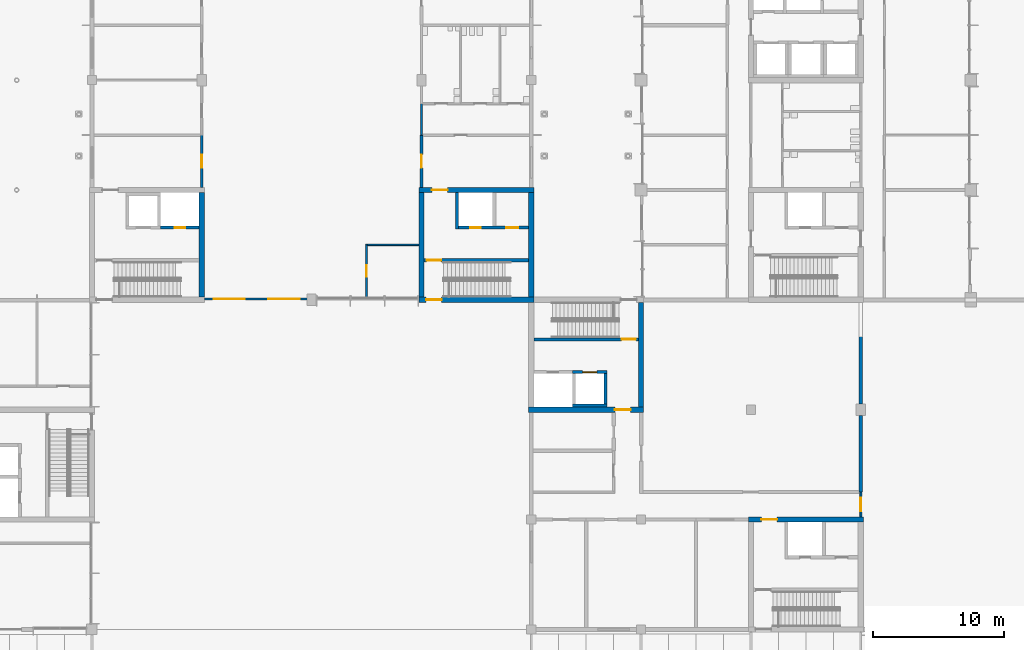
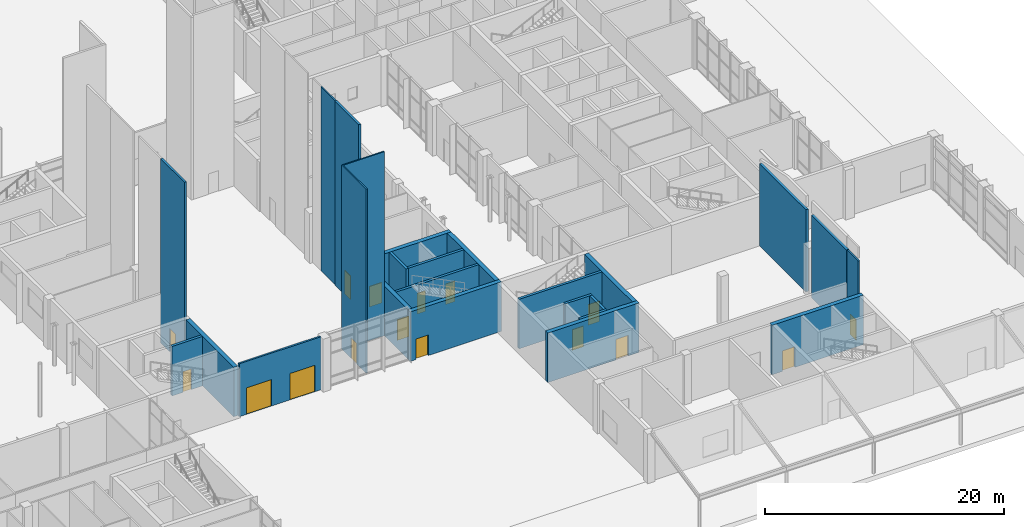
# One storey, part 39 of 76: 25 walls, 16 doors, 16 openings.
"""IFC4 building model written with IfcOpenShell, lengths in metres."""

from ifc_helpers import new_model, si_unit, direction, frame, frame_2d, origin, place, context, subcontext, project, spatial, rectangle, extrude, material, layer, layer_set, type_object, element, fill, save


model = new_model("IFC4")

# Units and contexts
model_context = context("Model", 3, precision=1e-05, world=origin(), true_north=direction((0.0, 1.0)))
body_context = subcontext(model_context, "Body", "Model", "MODEL_VIEW")
ifc_project = project(units=[si_unit("LENGTHUNIT", "METRE"), si_unit("AREAUNIT", "SQUARE_METRE"), si_unit("VOLUMEUNIT", "CUBIC_METRE"), si_unit("PLANEANGLEUNIT", "RADIAN"), si_unit("MASSUNIT", "GRAM", prefix="KILO")], contexts=[model_context])

# Site, building, storey
site_placement = place(None, origin())
site = spatial("IfcSite", under=ifc_project, at=site_placement, CompositionType="ELEMENT")
building_placement = place(site_placement, origin())
building = spatial("IfcBuilding", under=site, at=building_placement, Name="Hlaing Beacon Police Headquarters", CompositionType="ELEMENT")
storey_placement = place(building_placement, origin())
storey = spatial("IfcBuildingStorey", under=building, at=storey_placement, Name="L00", CompositionType="ELEMENT", Elevation=0.0)

# Walls
ifc_material_1 = material(Name="Concrete blockwork 7.5 N/mm2", Category="masonry")
ifc_layer_1 = layer(ifc_material_1, 0.25)
ifc_layer_set_1 = layer_set([ifc_layer_1], Name="Concrete blockwork 7.5 N/mm2")
wall_type_1 = type_object("IfcWallType", Name="Armoury wall EI 120 250", PredefinedType="PARTITIONING", material=ifc_layer_set_1)
wall_1_placement = place(storey_placement, frame((117.60009765625, 18.89990234375, 0.0), z_axis=(0.0, 0.0, 1.0), x_axis=(0.0, 1.0, 0.0)))
element("IfcWall", 1, at=wall_1_placement, inside=storey, type_object=wall_type_1, Name="Armoury wall EI 120 250", PredefinedType="PARTITIONING", context=body_context, shape_type="SweptSolid", body=[
    extrude(rectangle(XDim=5.85009765625, YDim=0.25, at=frame_2d((2.925048828125, 0.0))), origin(), (0.0, 0.0, 1.0), 8.375),
])
wall_2_placement = place(storey_placement, frame((117.60009765625, 25.64990234375, 0.0), z_axis=(0.0, 0.0, 1.0), x_axis=(0.0, 1.0, 0.0)))
element("IfcWall", 2, at=wall_2_placement, inside=storey, type_object=wall_type_1, Name="Armoury wall EI 120 250", PredefinedType="PARTITIONING", context=body_context, shape_type="SweptSolid", body=[
    extrude(rectangle(XDim=7.75, YDim=0.25, at=frame_2d((3.875, 0.0))), origin(), (0.0, 0.0, 1.0), 8.375),
])
ifc_material_2 = material(Name="Concrete C60/75", Category="concrete")
ifc_layer_2 = layer(ifc_material_2, 0.39990234375)
ifc_layer_set_2 = layer_set([ifc_layer_2], Name="Concrete C60/75")
wall_type_2 = type_object("IfcWallType", Name="Core shear wall 400", PredefinedType="SHEAR", material=ifc_layer_set_2)
wall_3_placement = place(storey_placement, frame((67.199951171875, 33.800048828125, 0.0), z_axis=(0.0, 0.0, 1.0), x_axis=(0.0, 1.0, 0.0)))
element("IfcWall", 3, at=wall_3_placement, inside=storey, type_object=wall_type_2, Name="Core shear wall", PredefinedType="SHEAR", context=body_context, shape_type="SweptSolid", body=[
    extrude(rectangle(XDim=8.0, YDim=0.39990234375, at=frame_2d((4.0, 0.0))), origin(), (0.0, 0.0, 1.0), 5.050048828125),
])

# Wall, opening, door
wall_4_placement = place(storey_placement, frame((83.800048828125, 33.60009765625, 0.0), z_axis=(0.0, 0.0, 1.0), x_axis=(1.0, 0.0, 0.0)))
wall_4 = element("IfcWall", 4, at=wall_4_placement, inside=storey, type_object=wall_type_2, Name="Core shear wall", PredefinedType="SHEAR", context=body_context, shape_type="SweptSolid", body=[
    extrude(rectangle(XDim=8.800048828125, YDim=0.39990234375, at=frame_2d((4.39990234375, 0.0))), origin(), (0.0, 0.0, 1.0), 5.050048828125),
])
opening_1_placement = place(wall_4_placement, frame((0.550048828125, 0.0, 0.0)))
opening_1 = element("IfcOpeningElement", 5, at=opening_1_placement, cuts=wall_4, Name="Opening L00-914", PredefinedType="OPENING", context=body_context, shape_type="SweptSolid", body=[
    extrude(rectangle(XDim=1.199951171875, YDim=2.10009765625, at=frame_2d((0.60009765625, 1.050048828125))), frame((0.0, 0.2099609375, 0.0), z_axis=(0.0, -1.0, 0.0), x_axis=(1.0, 0.0, 0.0)), (0.0, 0.0, 1.0), 0.419921875),
])
ifc_material_3 = material(Name="Steel fire door leaf", Category="steel")
ifc_layer_3 = layer(ifc_material_3, 0.070068359375)
ifc_layer_set_3 = layer_set([ifc_layer_3], Name="Steel fire door leaf")
door_type_1 = type_object("IfcDoorType", Name="Steel fire door FD60 1200x2100", OperationType="SINGLE_SWING_LEFT", PredefinedType="DOOR", material=ifc_layer_set_3)
door_1_placement = place(opening_1_placement, frame((1.199951171875, 0.0, 0.0), z_axis=(0.0, 0.0, 1.0), x_axis=(-1.0, 0.0, 0.0)))
door_1 = element("IfcDoor", 6, at=door_1_placement, inside=storey, type_object=door_type_1, Name="Door Stair ST-C Exit", OperationType="SINGLE_SWING_LEFT", OverallHeight=2.10009765625, OverallWidth=1.199951171875, PredefinedType="DOOR", context=body_context, shape_type="SweptSolid", body=[
    extrude(rectangle(XDim=1.199951171875, YDim=2.10009765625, at=frame_2d((0.599853515625, 1.050048828125))), frame((0.0, 0.034912109375, 0.0), z_axis=(0.0, -1.0, 0.0), x_axis=(1.0, 0.0, 0.0)), (0.0, 0.0, 1.0), 0.070068359375),
])
fill(opening_1, door_1)

wall_5_placement = place(storey_placement, frame((83.800048828125, 42.0, 0.0), z_axis=(0.0, 0.0, 1.0), x_axis=(1.0, 0.0, 0.0)))
wall_5 = element("IfcWall", 7, at=wall_5_placement, inside=storey, type_object=wall_type_2, Name="Core shear wall", PredefinedType="SHEAR", context=body_context, shape_type="SweptSolid", body=[
    extrude(rectangle(XDim=8.800048828125, YDim=0.39990234375, at=frame_2d((4.39990234375, 0.0))), origin(), (0.0, 0.0, 1.0), 5.050048828125),
])
opening_2_placement = place(wall_5_placement, frame((1.0, 0.0, 0.0)))
opening_2 = element("IfcOpeningElement", 8, at=opening_2_placement, cuts=wall_5, Name="Opening L00-911", PredefinedType="OPENING", context=body_context, shape_type="SweptSolid", body=[
    extrude(rectangle(XDim=1.199951171875, YDim=2.10009765625, at=frame_2d((0.60009765625, 1.050048828125))), frame((0.0, 0.2099609375, 0.0), z_axis=(0.0, -1.0, 0.0), x_axis=(1.0, 0.0, 0.0)), (0.0, 0.0, 1.0), 0.419921875),
])
ifc_material_4 = material(Name="Steel fire door leaf", Category="steel")
ifc_layer_4 = layer(ifc_material_4, 0.070068359375)
ifc_layer_set_4 = layer_set([ifc_layer_4], Name="Steel fire door leaf")
door_type_2 = type_object("IfcDoorType", Name="Steel fire door FD60S 1200x2100", OperationType="SINGLE_SWING_LEFT", PredefinedType="DOOR", material=ifc_layer_set_4)
door_2_placement = place(opening_2_placement, frame((1.199951171875, 0.0, 0.0), z_axis=(0.0, 0.0, 1.0), x_axis=(-1.0, 0.0, 0.0)))
door_2 = element("IfcDoor", 9, at=door_2_placement, inside=storey, type_object=door_type_2, Name="Door Stair Lobby ST-C Entry", OperationType="SINGLE_SWING_RIGHT", OverallHeight=2.10009765625, OverallWidth=1.199951171875, PredefinedType="DOOR", context=body_context, shape_type="SweptSolid", body=[
    extrude(rectangle(XDim=1.199951171875, YDim=2.10009765625, at=frame_2d((0.599853515625, 1.050048828125))), frame((0.0, 0.034912109375, 0.0), z_axis=(0.0, -1.0, 0.0), x_axis=(1.0, 0.0, 0.0)), (0.0, 0.0, 1.0), 0.070068359375),
])
fill(opening_2, door_2)

# Walls
for number, where, z_axis, x_axis, name in (
    (10, (84.0, 33.800048828125, 0.0), (0.0, 0.0, 1.0), (0.0, 1.0, 0.0), "Core shear wall"),
    (11, (92.39990234375, 33.800048828125, 0.0), (0.0, 0.0, 1.0), (0.0, 1.0, 0.0), "Core shear wall"),
):
    element("IfcWall", number, at=place(storey_placement, frame(where, z_axis=z_axis, x_axis=x_axis)), inside=storey, type_object=wall_type_2, Name=name, PredefinedType="SHEAR", context=body_context, shape_type="SweptSolid", body=[
        extrude(rectangle(XDim=8.0, YDim=0.39990234375, at=frame_2d((4.0, 0.0))), origin(), (0.0, 0.0, 1.0), 5.050048828125),
    ])

# Wall, opening, door
wall_6_placement = place(storey_placement, frame((92.199951171875, 25.199951171875, 0.0), z_axis=(0.0, 0.0, 1.0), x_axis=(1.0, 0.0, 0.0)))
wall_6 = element("IfcWall", 12, at=wall_6_placement, inside=storey, type_object=wall_type_2, Name="Core shear wall", PredefinedType="SHEAR", context=body_context, shape_type="SweptSolid", body=[
    extrude(rectangle(XDim=8.800048828125, YDim=0.39990234375, at=frame_2d((4.39990234375, 0.0))), origin(), (0.0, 0.0, 1.0), 5.050048828125),
])
opening_3_placement = place(wall_6_placement, frame((6.60009765625, 0.0, 0.0)))
opening_3 = element("IfcOpeningElement", 13, at=opening_3_placement, cuts=wall_6, Name="Opening L00-928", PredefinedType="OPENING", context=body_context, shape_type="SweptSolid", body=[
    extrude(rectangle(XDim=1.199951171875, YDim=2.10009765625, at=frame_2d((0.60009765625, 1.050048828125))), frame((0.0, 0.2099609375, 0.0), z_axis=(0.0, -1.0, 0.0), x_axis=(1.0, 0.0, 0.0)), (0.0, 0.0, 1.0), 0.419921875),
])
door_3_placement = place(opening_3_placement, origin())
door_3 = element("IfcDoor", 14, at=door_3_placement, inside=storey, type_object=door_type_2, Name="Door Lift and Stair Lobby ST-G Entry", OperationType="SINGLE_SWING_RIGHT", OverallHeight=2.10009765625, OverallWidth=1.199951171875, PredefinedType="DOOR", context=body_context, shape_type="SweptSolid", body=[
    extrude(rectangle(XDim=1.199951171875, YDim=2.10009765625, at=frame_2d((0.60009765625, 1.050048828125))), frame((0.0, 0.03515625, 0.0), z_axis=(0.0, -1.0, 0.0), x_axis=(1.0, 0.0, 0.0)), (0.0, 0.0, 1.0), 0.070068359375),
])
fill(opening_3, door_3)

# Wall
wall_7_placement = place(storey_placement, frame((100.800048828125, 25.39990234375, 0.0), z_axis=(0.0, 0.0, 1.0), x_axis=(0.0, 1.0, 0.0)))
element("IfcWall", 15, at=wall_7_placement, inside=storey, type_object=wall_type_2, Name="Core shear wall", PredefinedType="SHEAR", context=body_context, shape_type="SweptSolid", body=[
    extrude(rectangle(XDim=8.0, YDim=0.39990234375, at=frame_2d((4.0, 0.0))), origin(), (0.0, 0.0, 1.0), 5.050048828125),
])

# Wall, opening, door
wall_8_placement = place(storey_placement, frame((109.0, 16.800048828125, 0.0), z_axis=(0.0, 0.0, 1.0), x_axis=(1.0, 0.0, 0.0)))
wall_8 = element("IfcWall", 16, at=wall_8_placement, inside=storey, type_object=wall_type_2, Name="Core shear wall", PredefinedType="SHEAR", context=body_context, shape_type="SweptSolid", body=[
    extrude(rectangle(XDim=8.800048828125, YDim=0.39990234375, at=frame_2d((4.39990234375, 0.0))), origin(), (0.0, 0.0, 1.0), 5.050048828125),
])
opening_4_placement = place(wall_8_placement, frame((1.0, 0.0, 0.0)))
opening_4 = element("IfcOpeningElement", 17, at=opening_4_placement, cuts=wall_8, Name="Opening L00-933", PredefinedType="OPENING", context=body_context, shape_type="SweptSolid", body=[
    extrude(rectangle(XDim=1.199951171875, YDim=2.10009765625, at=frame_2d((0.60009765625, 1.050048828125))), frame((0.0, 0.2099609375, 0.0), z_axis=(0.0, -1.0, 0.0), x_axis=(1.0, 0.0, 0.0)), (0.0, 0.0, 1.0), 0.419921875),
])
door_4_placement = place(opening_4_placement, frame((1.199951171875, 0.0, 0.0), z_axis=(0.0, 0.0, 1.0), x_axis=(-1.0, 0.0, 0.0)))
door_4 = element("IfcDoor", 18, at=door_4_placement, inside=storey, type_object=door_type_2, Name="Door Stair Lobby ST-H Entry", OperationType="SINGLE_SWING_RIGHT", OverallHeight=2.10009765625, OverallWidth=1.199951171875, PredefinedType="DOOR", context=body_context, shape_type="SweptSolid", body=[
    extrude(rectangle(XDim=1.199951171875, YDim=2.10009765625, at=frame_2d((0.599853515625, 1.050048828125))), frame((0.0, 0.034912109375, 0.0), z_axis=(0.0, -1.0, 0.0), x_axis=(1.0, 0.0, 0.0)), (0.0, 0.0, 1.0), 0.070068359375),
])
fill(opening_4, door_4)

ifc_material_5 = material(Name="Gypsum board partition")
ifc_layer_5 = layer(ifc_material_5, 0.14990234375)
ifc_layer_set_5 = layer_set([ifc_layer_5], Name="Gypsum board partition")
wall_type_3 = type_object("IfcWallType", Name="Corridor wall EI 30 150", PredefinedType="PARTITIONING", material=ifc_layer_set_5)
wall_9_placement = place(storey_placement, frame((117.60009765625, 17.0, 0.0), z_axis=(0.0, 0.0, 1.0), x_axis=(0.0, 1.0, 0.0)))
wall_9 = element("IfcWall", 19, at=wall_9_placement, inside=storey, type_object=wall_type_3, Name="Corridor wall EI 30 150", PredefinedType="PARTITIONING", context=body_context, shape_type="SweptSolid", body=[
    extrude(rectangle(XDim=1.89990234375, YDim=0.14990234375, at=frame_2d((0.949951171875, 0.0))), origin(), (0.0, 0.0, 1.0), 8.375),
])
opening_5_placement = place(wall_9_placement, frame((0.449951171875, 0.0, 0.0)))
opening_5 = element("IfcOpeningElement", 20, at=opening_5_placement, cuts=wall_9, Name="Opening L00-025", PredefinedType="OPENING", context=body_context, shape_type="SweptSolid", body=[
    extrude(rectangle(XDim=1.0, YDim=2.10009765625, at=frame_2d((0.5, 1.050048828125))), frame((0.0, 0.0849609375, 0.0), z_axis=(0.0, -1.0, 0.0), x_axis=(1.0, 0.0, 0.0)), (0.0, 0.0, 1.0), 0.169921875),
])
ifc_material_6 = material(Name="Hardwood door leaf", Category="wood")
ifc_layer_6 = layer(ifc_material_6, 0.050048828125)
ifc_layer_set_6 = layer_set([ifc_layer_6], Name="Hardwood door leaf")
door_type_3 = type_object("IfcDoorType", Name="Fire door FD30S 1000x2100", OperationType="SINGLE_SWING_LEFT", PredefinedType="DOOR", material=ifc_layer_set_6)
door_5_placement = place(opening_5_placement, origin())
door_5 = element("IfcDoor", 21, at=door_5_placement, inside=storey, type_object=door_type_3, Name="Door Gymnasium Hall", OperationType="SINGLE_SWING_RIGHT", OverallHeight=2.10009765625, OverallWidth=1.0, PredefinedType="DOOR", context=body_context, shape_type="SweptSolid", body=[
    extrude(rectangle(XDim=1.0, YDim=2.10009765625, at=frame_2d((0.5, 1.050048828125))), frame((0.0, 0.02490234375, 0.0), z_axis=(0.0, -1.0, 0.0), x_axis=(1.0, 0.0, 0.0)), (0.0, 0.0, 1.0), 0.050048828125),
])
fill(opening_5, door_5)

# Wall, openings, doors
ifc_material_7 = material(Name="Insulated aluminium panel infill", Category="aluminium")
ifc_layer_7 = layer(ifc_material_7, 0.175048828125)
ifc_layer_set_7 = layer_set([ifc_layer_7], Name="Insulated aluminium panel infill")
wall_type_4 = type_object("IfcWallType", Name="Insulated panel infill wall 175", PredefinedType="SOLIDWALL", material=ifc_layer_set_7)
wall_10_placement = place(storey_placement, frame((67.39990234375, 33.66259765625, 0.0), z_axis=(0.0, 0.0, 1.0), x_axis=(1.0, 0.0, 0.0)))
wall_10 = element("IfcWall", 22, at=wall_10_placement, inside=storey, type_object=wall_type_4, Name="External wall L00 S047", PredefinedType="SOLIDWALL", context=body_context, shape_type="SweptSolid", body=[
    extrude(rectangle(XDim=7.8701171875, YDim=0.175048828125, at=frame_2d((3.93505859375, 0.0))), origin(), (0.0, 0.0, 1.0), 5.39990234375),
])
opening_6_placement = place(wall_10_placement, frame((0.699951171875, 0.0, 0.0)))
opening_6 = element("IfcOpeningElement", 23, at=opening_6_placement, cuts=wall_10, Name="Opening L00-819", PredefinedType="OPENING", context=body_context, shape_type="SweptSolid", body=[
    extrude(rectangle(XDim=2.39990234375, YDim=2.699951171875, at=frame_2d((1.199951171875, 1.35009765625))), frame((0.0, 0.09765625, 0.0), z_axis=(0.0, -1.0, 0.0), x_axis=(1.0, 0.0, 0.0)), (0.0, 0.0, 1.0), 0.195068359375),
])
opening_7_placement = place(wall_10_placement, frame((4.89990234375, 0.0, 0.0)))
opening_7 = element("IfcOpeningElement", 24, at=opening_7_placement, cuts=wall_10, Name="Opening L00-820", PredefinedType="OPENING", context=body_context, shape_type="SweptSolid", body=[
    extrude(rectangle(XDim=2.39990234375, YDim=2.699951171875, at=frame_2d((1.199951171875, 1.35009765625))), frame((0.0, 0.09765625, 0.0), z_axis=(0.0, -1.0, 0.0), x_axis=(1.0, 0.0, 0.0)), (0.0, 0.0, 1.0), 0.195068359375),
])
ifc_material_8 = material(Name="Steel door", Category="steel")
door_type_4 = type_object("IfcDoorType", Name="Door 2400x2700", OperationType="SINGLE_SWING_LEFT", PredefinedType="DOOR", material=ifc_material_8)
door_6_placement = place(opening_6_placement, frame((2.39990234375, 0.0, 0.0), z_axis=(0.0, 0.0, 1.0), x_axis=(-1.0, 0.0, 0.0)))
door_6 = element("IfcDoor", 25, at=door_6_placement, inside=storey, type_object=door_type_4, Name="Door Public Entrance Hall", OperationType="SINGLE_SWING_LEFT", OverallHeight=2.699951171875, OverallWidth=2.39990234375, PredefinedType="DOOR", context=body_context, shape_type="SweptSolid", body=[
    extrude(rectangle(XDim=2.39990234375, YDim=2.699951171875, at=frame_2d((1.199951171875, 1.35009765625))), frame((0.0, 0.025146484375, 0.0), z_axis=(0.0, -1.0, 0.0), x_axis=(1.0, 0.0, 0.0)), (0.0, 0.0, 1.0), 0.050048828125),
])
fill(opening_6, door_6)
door_7_placement = place(opening_7_placement, frame((2.39990234375, 0.0, 0.0), z_axis=(0.0, 0.0, 1.0), x_axis=(-1.0, 0.0, 0.0)))
door_7 = element("IfcDoor", 26, at=door_7_placement, inside=storey, type_object=door_type_4, Name="Door Public Entrance Hall", OperationType="SINGLE_SWING_RIGHT", OverallHeight=2.699951171875, OverallWidth=2.39990234375, PredefinedType="DOOR", context=body_context, shape_type="SweptSolid", body=[
    extrude(rectangle(XDim=2.39990234375, YDim=2.699951171875, at=frame_2d((1.199951171875, 1.35009765625))), frame((0.0, 0.025146484375, 0.0), z_axis=(0.0, -1.0, 0.0), x_axis=(1.0, 0.0, 0.0)), (0.0, 0.0, 1.0), 0.050048828125),
])
fill(opening_7, door_7)

# Wall, opening, door
ifc_material_9 = material(Name="Concrete blockwork 7.5 N/mm2", Category="masonry")
ifc_layer_8 = layer(ifc_material_9, 0.199951171875)
ifc_layer_set_8 = layer_set([ifc_layer_8], Name="Concrete blockwork 7.5 N/mm2")
wall_type_5 = type_object("IfcWallType", Name="Lobby wall EI 120 200", PredefinedType="PARTITIONING", material=ifc_layer_set_8)
wall_11_placement = place(storey_placement, frame((84.0, 42.199951171875, 0.0), z_axis=(0.0, 0.0, 1.0), x_axis=(0.0, 1.0, 0.0)))
wall_11 = element("IfcWall", 27, at=wall_11_placement, inside=storey, type_object=wall_type_5, Name="Lobby wall EI 120 200", PredefinedType="PARTITIONING", context=body_context, shape_type="SweptSolid", body=[
    extrude(rectangle(XDim=4.0, YDim=0.199951171875, at=frame_2d((2.0, 0.0))), origin(), (0.0, 0.0, 1.0), 18.77001953125),
])
opening_8_placement = place(wall_11_placement, frame((1.5, 0.0, 0.0)))
opening_8 = element("IfcOpeningElement", 28, at=opening_8_placement, cuts=wall_11, Name="Opening L00-003", PredefinedType="OPENING", context=body_context, shape_type="SweptSolid", body=[
    extrude(rectangle(XDim=1.0, YDim=2.39990234375, at=frame_2d((0.5, 1.199951171875))), frame((0.0, 0.10986328125, 0.0), z_axis=(0.0, -1.0, 0.0), x_axis=(1.0, 0.0, 0.0)), (0.0, 0.0, 1.0), 0.219970703125),
])
ifc_material_10 = material(Name="Hardwood door leaf", Category="wood")
ifc_layer_9 = layer(ifc_material_10, 0.06005859375)
ifc_layer_set_9 = layer_set([ifc_layer_9], Name="Hardwood door leaf")
door_type_5 = type_object("IfcDoorType", Name="Fire public door FD60S 1000x2400", OperationType="SINGLE_SWING_LEFT", PredefinedType="DOOR", material=ifc_layer_set_9)
door_8_placement = place(opening_8_placement, origin())
door_8 = element("IfcDoor", 29, at=door_8_placement, inside=storey, type_object=door_type_5, Name="Door Entrance Lobby South East", OperationType="SINGLE_SWING_LEFT", OverallHeight=2.39990234375, OverallWidth=1.0, PredefinedType="DOOR", context=body_context, shape_type="SweptSolid", body=[
    extrude(rectangle(XDim=1.0, YDim=2.39990234375, at=frame_2d((0.5, 1.199951171875))), frame((0.0, 0.030029296875, 0.0), z_axis=(0.0, -1.0, 0.0), x_axis=(1.0, 0.0, 0.0)), (0.0, 0.0, 1.0), 0.06005859375),
])
fill(opening_8, door_8)

wall_12_placement = place(storey_placement, frame((67.199951171875, 42.199951171875, 0.0), z_axis=(0.0, 0.0, 1.0), x_axis=(0.0, 1.0, 0.0)))
wall_12 = element("IfcWall", 30, at=wall_12_placement, inside=storey, type_object=wall_type_5, Name="Lobby wall EI 120 200", PredefinedType="PARTITIONING", context=body_context, shape_type="SweptSolid", body=[
    extrude(rectangle(XDim=4.0, YDim=0.199951171875, at=frame_2d((2.0, 0.0))), origin(), (0.0, 0.0, 1.0), 18.77001953125),
])
opening_9_placement = place(wall_12_placement, frame((1.5, 0.0, 0.0)))
opening_9 = element("IfcOpeningElement", 31, at=opening_9_placement, cuts=wall_12, Name="Opening L00-013", PredefinedType="OPENING", context=body_context, shape_type="SweptSolid", body=[
    extrude(rectangle(XDim=1.0, YDim=2.39990234375, at=frame_2d((0.5, 1.199951171875))), frame((0.0, 0.10986328125, 0.0), z_axis=(0.0, -1.0, 0.0), x_axis=(1.0, 0.0, 0.0)), (0.0, 0.0, 1.0), 0.219970703125),
])
door_9_placement = place(opening_9_placement, frame((1.0, 0.0, 0.0), z_axis=(0.0, 0.0, 1.0), x_axis=(-1.0, 0.0, 0.0)))
door_9 = element("IfcDoor", 32, at=door_9_placement, inside=storey, type_object=door_type_5, Name="Door Entrance Lobby South West", OperationType="SINGLE_SWING_LEFT", OverallHeight=2.39990234375, OverallWidth=1.0, PredefinedType="DOOR", context=body_context, shape_type="SweptSolid", body=[
    extrude(rectangle(XDim=1.0, YDim=2.39990234375, at=frame_2d((0.5, 1.199951171875))), frame((0.0, 0.030029296875, 0.0), z_axis=(0.0, -1.0, 0.0), x_axis=(1.0, 0.0, 0.0)), (0.0, 0.0, 1.0), 0.06005859375),
])
fill(opening_9, door_9)

ifc_material_11 = material(Name="Gypsum board partition")
ifc_layer_10 = layer(ifc_material_11, 0.125)
ifc_layer_set_10 = layer_set([ifc_layer_10], Name="Gypsum board partition")
wall_type_6 = type_object("IfcWallType", Name="Partition 125", PredefinedType="PARTITIONING", material=ifc_layer_set_10)
wall_13_placement = place(storey_placement, frame((79.800048828125, 33.75, 0.0), z_axis=(0.0, 0.0, 1.0), x_axis=(0.0, 1.0, 0.0)))
wall_13 = element("IfcWall", 33, at=wall_13_placement, inside=storey, type_object=wall_type_6, Name="Partition 125", PredefinedType="PARTITIONING", context=body_context, shape_type="SweptSolid", body=[
    extrude(rectangle(XDim=4.112060546875, YDim=0.125, at=frame_2d((2.05615234375, 0.0))), origin(), (0.0, 0.0, 1.0), 18.77001953125),
])
opening_10_placement = place(wall_13_placement, frame((1.60009765625, 0.0, 0.0)))
opening_10 = element("IfcOpeningElement", 34, at=opening_10_placement, cuts=wall_13, Name="Opening L00-001", PredefinedType="OPENING", context=body_context, shape_type="SweptSolid", body=[
    extrude(rectangle(XDim=0.89990234375, YDim=2.10009765625, at=frame_2d((0.449951171875, 1.050048828125))), frame((0.0, 0.072509765625, 0.0), z_axis=(0.0, -1.0, 0.0), x_axis=(1.0, 0.0, 0.0)), (0.0, 0.0, 1.0), 0.14501953125),
])
ifc_material_12 = material(Name="Hardwood door leaf", Category="wood")
ifc_layer_11 = layer(ifc_material_12, 0.0400390625)
ifc_layer_set_11 = layer_set([ifc_layer_11], Name="Hardwood door leaf")
door_type_6 = type_object("IfcDoorType", Name="Door 900x2100", OperationType="SINGLE_SWING_LEFT", PredefinedType="DOOR", material=ifc_layer_set_11)
door_10_placement = place(opening_10_placement, frame((0.89990234375, 0.0, 0.0), z_axis=(0.0, 0.0, 1.0), x_axis=(-1.0, 0.0, 0.0)))
door_10 = element("IfcDoor", 35, at=door_10_placement, inside=storey, type_object=door_type_6, Name="Door Entry Control Post", OperationType="SINGLE_SWING_LEFT", OverallHeight=2.10009765625, OverallWidth=0.89990234375, PredefinedType="DOOR", context=body_context, shape_type="SweptSolid", body=[
    extrude(rectangle(XDim=0.89990234375, YDim=2.10009765625, at=frame_2d((0.449951171875, 1.050048828125))), frame((0.0, 0.02001953125, 0.0), z_axis=(0.0, -1.0, 0.0), x_axis=(1.0, 0.0, 0.0)), (0.0, 0.0, 1.0), 0.0400390625),
])
fill(opening_10, door_10)

# Walls
wall_14_placement = place(storey_placement, frame((79.862060546875, 37.800048828125, 0.0), z_axis=(0.0, 0.0, 1.0), x_axis=(1.0, 0.0, 0.0)))
element("IfcWall", 36, at=wall_14_placement, inside=storey, type_object=wall_type_6, Name="Partition 125", PredefinedType="PARTITIONING", context=body_context, shape_type="SweptSolid", body=[
    extrude(rectangle(XDim=3.93798828125, YDim=0.125, at=frame_2d((1.968994140625, 0.0))), origin(), (0.0, 0.0, 1.0), 18.77001953125),
])
wall_15_placement = place(storey_placement, frame((84.0, 46.199951171875, 0.0), z_axis=(0.0, 0.0, 1.0), x_axis=(0.0, 1.0, 0.0)))
element("IfcWall", 37, at=wall_15_placement, inside=storey, type_object=wall_type_6, Name="Partition 125", PredefinedType="PARTITIONING", context=body_context, shape_type="SweptSolid", body=[
    extrude(rectangle(XDim=2.400146484375, YDim=0.125, at=frame_2d((1.2001953125, 0.0))), origin(), (0.0, 0.0, 1.0), 18.77001953125),
])

# Wall, opening, door
ifc_material_13 = material(Name="Concrete C40/50", Category="concrete")
ifc_layer_12 = layer(ifc_material_13, 0.25)
ifc_layer_set_12 = layer_set([ifc_layer_12], Name="Concrete C40/50")
wall_type_7 = type_object("IfcWallType", Name="Shaft wall 250", PredefinedType="SOLIDWALL", material=ifc_layer_set_12)
wall_16_placement = place(storey_placement, frame((64.050048828125, 39.125, 0.0), z_axis=(0.0, 0.0, 1.0), x_axis=(1.0, 0.0, 0.0)))
wall_16 = element("IfcWall", 38, at=wall_16_placement, inside=storey, type_object=wall_type_7, Name="Lobby wall", PredefinedType="SOLIDWALL", context=body_context, shape_type="SweptSolid", body=[
    extrude(rectangle(XDim=2.949951171875, YDim=0.25, at=frame_2d((1.47509765625, 0.0))), origin(), (0.0, 0.0, 1.0), 5.050048828125),
])
opening_11_placement = place(wall_16_placement, frame((1.074951171875, 0.0, 0.0)))
opening_11 = element("IfcOpeningElement", 39, at=opening_11_placement, cuts=wall_16, Name="Opening L00-902", PredefinedType="OPENING", context=body_context, shape_type="SweptSolid", body=[
    extrude(rectangle(XDim=0.800048828125, YDim=2.10009765625, at=frame_2d((0.39990234375, 1.050048828125))), frame((0.0, 0.135009765625, 0.0), z_axis=(0.0, -1.0, 0.0), x_axis=(1.0, 0.0, 0.0)), (0.0, 0.0, 1.0), 0.27001953125),
])
ifc_material_14 = material(Name="Steel fire door leaf", Category="steel")
ifc_layer_13 = layer(ifc_material_14, 0.070068359375)
ifc_layer_set_13 = layer_set([ifc_layer_13], Name="Steel fire door leaf")
door_type_7 = type_object("IfcDoorType", Name="Steel fire door FD60 800x2100", OperationType="SINGLE_SWING_LEFT", PredefinedType="DOOR", material=ifc_layer_set_13)
door_11_placement = place(opening_11_placement, origin())
door_11 = element("IfcDoor", 40, at=door_11_placement, inside=storey, type_object=door_type_7, Name="Door Services Riser", OperationType="SINGLE_SWING_RIGHT", OverallHeight=2.10009765625, OverallWidth=0.800048828125, PredefinedType="DOOR", context=body_context, shape_type="SweptSolid", body=[
    extrude(rectangle(XDim=0.800048828125, YDim=2.10009765625, at=frame_2d((0.39990234375, 1.050048828125))), frame((0.0, 0.03515625, 0.0), z_axis=(0.0, -1.0, 0.0), x_axis=(1.0, 0.0, 0.0)), (0.0, 0.0, 1.0), 0.070068359375),
])
fill(opening_11, door_11)

wall_17_placement = place(storey_placement, frame((84.199951171875, 36.625, 0.0), z_axis=(0.0, 0.0, 1.0), x_axis=(1.0, 0.0, 0.0)))
wall_17 = element("IfcWall", 41, at=wall_17_placement, inside=storey, type_object=wall_type_7, Name="Stair enclosure wall", PredefinedType="SOLIDWALL", context=body_context, shape_type="SweptSolid", body=[
    extrude(rectangle(XDim=8.0, YDim=0.25, at=frame_2d((4.0, 0.0))), origin(), (0.0, 0.0, 1.0), 5.050048828125),
])
opening_12_placement = place(wall_17_placement, frame((0.199951171875, 0.0, 0.0)))
opening_12 = element("IfcOpeningElement", 42, at=opening_12_placement, cuts=wall_17, Name="Opening L00-913", PredefinedType="OPENING", context=body_context, shape_type="SweptSolid", body=[
    extrude(rectangle(XDim=1.10009765625, YDim=2.10009765625, at=frame_2d((0.550048828125, 1.050048828125))), frame((0.0, 0.135009765625, 0.0), z_axis=(0.0, -1.0, 0.0), x_axis=(1.0, 0.0, 0.0)), (0.0, 0.0, 1.0), 0.27001953125),
])
ifc_material_15 = material(Name="Steel fire door leaf", Category="steel")
ifc_layer_14 = layer(ifc_material_15, 0.070068359375)
ifc_layer_set_14 = layer_set([ifc_layer_14], Name="Steel fire door leaf")
door_type_8 = type_object("IfcDoorType", Name="Steel fire door FD60 1100x2100", OperationType="SINGLE_SWING_LEFT", PredefinedType="DOOR", material=ifc_layer_set_14)
door_12_placement = place(opening_12_placement, frame((1.10009765625, 0.0, 0.0), z_axis=(0.0, 0.0, 1.0), x_axis=(-1.0, 0.0, 0.0)))
door_12 = element("IfcDoor", 43, at=door_12_placement, inside=storey, type_object=door_type_8, Name="Door Stair ST-C", OperationType="SINGLE_SWING_LEFT", OverallHeight=2.10009765625, OverallWidth=1.10009765625, PredefinedType="DOOR", context=body_context, shape_type="SweptSolid", body=[
    extrude(rectangle(XDim=1.10009765625, YDim=2.10009765625, at=frame_2d((0.550048828125, 1.050048828125))), frame((0.0, 0.034912109375, 0.0), z_axis=(0.0, -1.0, 0.0), x_axis=(1.0, 0.0, 0.0)), (0.0, 0.0, 1.0), 0.070068359375),
])
fill(opening_12, door_12)

# Wall
wall_18_placement = place(storey_placement, frame((86.72509765625, 39.0, 0.0), z_axis=(0.0, 0.0, 1.0), x_axis=(0.0, 1.0, 0.0)))
element("IfcWall", 44, at=wall_18_placement, inside=storey, type_object=wall_type_7, Name="Lobby wall", PredefinedType="SOLIDWALL", context=body_context, shape_type="SweptSolid", body=[
    extrude(rectangle(XDim=2.800048828125, YDim=0.25, at=frame_2d((1.39990234375, 0.0))), origin(), (0.0, 0.0, 1.0), 5.050048828125),
])

# Wall, openings, doors
wall_19_placement = place(storey_placement, frame((86.85009765625, 39.125, 0.0), z_axis=(0.0, 0.0, 1.0), x_axis=(1.0, 0.0, 0.0)))
wall_19 = element("IfcWall", 45, at=wall_19_placement, inside=storey, type_object=wall_type_7, Name="Lobby wall", PredefinedType="SOLIDWALL", context=body_context, shape_type="SweptSolid", body=[
    extrude(rectangle(XDim=5.349853515625, YDim=0.25, at=frame_2d((2.6748046875, 0.0))), origin(), (0.0, 0.0, 1.0), 5.050048828125),
])
opening_13_placement = place(wall_19_placement, frame((3.64990234375, 0.0, 0.0)))
opening_13 = element("IfcOpeningElement", 46, at=opening_13_placement, cuts=wall_19, Name="Opening L00-910", PredefinedType="OPENING", context=body_context, shape_type="SweptSolid", body=[
    extrude(rectangle(XDim=0.89990234375, YDim=2.10009765625, at=frame_2d((0.449951171875, 1.050048828125))), frame((0.0, 0.135009765625, 0.0), z_axis=(0.0, -1.0, 0.0), x_axis=(1.0, 0.0, 0.0)), (0.0, 0.0, 1.0), 0.27001953125),
])
opening_14_placement = place(wall_19_placement, frame((0.89990234375, 0.0, 0.0)))
opening_14 = element("IfcOpeningElement", 47, at=opening_14_placement, cuts=wall_19, Name="Opening L00-912", PredefinedType="OPENING", context=body_context, shape_type="SweptSolid", body=[
    extrude(rectangle(XDim=0.800048828125, YDim=2.10009765625, at=frame_2d((0.39990234375, 1.050048828125))), frame((0.0, 0.135009765625, 0.0), z_axis=(0.0, -1.0, 0.0), x_axis=(1.0, 0.0, 0.0)), (0.0, 0.0, 1.0), 0.27001953125),
])
door_13_placement = place(opening_14_placement, origin())
door_13 = element("IfcDoor", 48, at=door_13_placement, inside=storey, type_object=door_type_7, Name="Door Services Riser", OperationType="SINGLE_SWING_RIGHT", OverallHeight=2.10009765625, OverallWidth=0.800048828125, PredefinedType="DOOR", context=body_context, shape_type="SweptSolid", body=[
    extrude(rectangle(XDim=0.800048828125, YDim=2.10009765625, at=frame_2d((0.39990234375, 1.050048828125))), frame((0.0, 0.03515625, 0.0), z_axis=(0.0, -1.0, 0.0), x_axis=(1.0, 0.0, 0.0)), (0.0, 0.0, 1.0), 0.070068359375),
])
fill(opening_14, door_13)
ifc_material_16 = material(Name="Steel fire door leaf", Category="steel")
ifc_layer_15 = layer(ifc_material_16, 0.070068359375)
ifc_layer_set_15 = layer_set([ifc_layer_15], Name="Steel fire door leaf")
door_type_9 = type_object("IfcDoorType", Name="Steel fire door FD60 900x2100", OperationType="SINGLE_SWING_LEFT", PredefinedType="DOOR", material=ifc_layer_set_15)
door_14_placement = place(opening_13_placement, origin())
door_14 = element("IfcDoor", 49, at=door_14_placement, inside=storey, type_object=door_type_9, Name="Door Cleaners' Store", OperationType="SINGLE_SWING_LEFT", OverallHeight=2.10009765625, OverallWidth=0.89990234375, PredefinedType="DOOR", context=body_context, shape_type="SweptSolid", body=[
    extrude(rectangle(XDim=0.89990234375, YDim=2.10009765625, at=frame_2d((0.449951171875, 1.050048828125))), frame((0.0, 0.03515625, 0.0), z_axis=(0.0, -1.0, 0.0), x_axis=(1.0, 0.0, 0.0)), (0.0, 0.0, 1.0), 0.070068359375),
])
fill(opening_13, door_14)

# Wall, opening, door
wall_20_placement = place(storey_placement, frame((100.60009765625, 30.574951171875, 0.0), z_axis=(0.0, 0.0, 1.0), x_axis=(-1.0, 0.0, 0.0)))
wall_20 = element("IfcWall", 50, at=wall_20_placement, inside=storey, type_object=wall_type_7, Name="Stair enclosure wall", PredefinedType="SOLIDWALL", context=body_context, shape_type="SweptSolid", body=[
    extrude(rectangle(XDim=8.0, YDim=0.25, at=frame_2d((4.0, 0.0))), origin(), (0.0, 0.0, 1.0), 5.050048828125),
])
opening_15_placement = place(wall_20_placement, frame((0.199951171875, 0.0, 0.0)))
opening_15 = element("IfcOpeningElement", 51, at=opening_15_placement, cuts=wall_20, Name="Opening L00-930", PredefinedType="OPENING", context=body_context, shape_type="SweptSolid", body=[
    extrude(rectangle(XDim=1.10009765625, YDim=2.10009765625, at=frame_2d((0.550048828125, 1.050048828125))), frame((0.0, 0.135009765625, 0.0), z_axis=(0.0, -1.0, 0.0), x_axis=(1.0, 0.0, 0.0)), (0.0, 0.0, 1.0), 0.27001953125),
])
door_15_placement = place(opening_15_placement, frame((1.10009765625, 0.0, 0.0), z_axis=(0.0, 0.0, 1.0), x_axis=(-1.0, 0.0, 0.0)))
door_15 = element("IfcDoor", 52, at=door_15_placement, inside=storey, type_object=door_type_8, Name="Door Stair ST-G", OperationType="SINGLE_SWING_LEFT", OverallHeight=2.10009765625, OverallWidth=1.10009765625, PredefinedType="DOOR", context=body_context, shape_type="SweptSolid", body=[
    extrude(rectangle(XDim=1.10009765625, YDim=2.10009765625, at=frame_2d((0.550048828125, 1.050048828125))), frame((0.0, 0.034912109375, 0.0), z_axis=(0.0, -1.0, 0.0), x_axis=(1.0, 0.0, 0.0)), (0.0, 0.0, 1.0), 0.070068359375),
])
fill(opening_15, door_15)

# Wall
wall_21_placement = place(storey_placement, frame((98.074951171875, 25.64990234375, 0.0), z_axis=(0.0, 0.0, 1.0), x_axis=(0.0, 1.0, 0.0)))
element("IfcWall", 53, at=wall_21_placement, inside=storey, type_object=wall_type_7, Name="Lift shaft wall PL4", PredefinedType="SOLIDWALL", context=body_context, shape_type="SweptSolid", body=[
    extrude(rectangle(XDim=2.300048828125, YDim=0.25, at=frame_2d((1.14990234375, 0.0))), origin(), (0.0, 0.0, 1.0), 5.050048828125),
])

# Wall, opening, door
wall_22_placement = place(storey_placement, frame((95.550048828125, 28.074951171875, 0.0), z_axis=(0.0, 0.0, 1.0), x_axis=(1.0, 0.0, 0.0)))
wall_22 = element("IfcWall", 54, at=wall_22_placement, inside=storey, type_object=wall_type_7, Name="Lift shaft wall PL4", PredefinedType="SOLIDWALL", context=body_context, shape_type="SweptSolid", body=[
    extrude(rectangle(XDim=2.64990234375, YDim=0.25, at=frame_2d((1.324951171875, 0.0))), origin(), (0.0, 0.0, 1.0), 5.050048828125),
])
opening_16_placement = place(wall_22_placement, frame((0.77490234375, 0.0, 0.0)))
opening_16 = element("IfcOpeningElement", 55, at=opening_16_placement, cuts=wall_22, Name="Opening LD-PL4-L00", PredefinedType="OPENING", context=body_context, shape_type="SweptSolid", body=[
    extrude(rectangle(XDim=1.10009765625, YDim=2.10009765625, at=frame_2d((0.550048828125, 1.050048828125))), frame((0.0, 0.135009765625, 0.0), z_axis=(0.0, -1.0, 0.0), x_axis=(1.0, 0.0, 0.0)), (0.0, 0.0, 1.0), 0.27001953125),
])
ifc_material_17 = material(Name="Stainless steel lift landing door", Category="steel")
ifc_layer_16 = layer(ifc_material_17, 0.06005859375)
ifc_layer_set_16 = layer_set([ifc_layer_16], Name="Stainless steel lift landing door")
door_type_10 = type_object("IfcDoorType", Name="Lift landing door 1100x2100", OperationType="DOUBLE_DOOR_SLIDING", PredefinedType="DOOR", material=ifc_layer_set_16)
door_16_placement = place(opening_16_placement, origin())
door_16 = element("IfcDoor", 56, at=door_16_placement, inside=storey, type_object=door_type_10, Name="Landing door PL4 L00", OperationType="DOUBLE_DOOR_SLIDING", OverallHeight=2.10009765625, OverallWidth=1.10009765625, PredefinedType="DOOR", context=body_context, shape_type="SweptSolid", body=[
    extrude(rectangle(XDim=1.10009765625, YDim=2.10009765625, at=frame_2d((0.550048828125, 1.050048828125))), frame((0.0, 0.0400390625, 0.0), z_axis=(0.0, -1.0, 0.0), x_axis=(1.0, 0.0, 0.0)), (0.0, 0.0, 1.0), 0.080078125),
])
fill(opening_16, door_16)

# Wall
wall_23_placement = place(storey_placement, frame((95.550048828125, 25.52490234375, 0.0), z_axis=(0.0, 0.0, 1.0), x_axis=(1.0, 0.0, 0.0)))
element("IfcWall", 57, at=wall_23_placement, inside=storey, type_object=wall_type_7, Name="Lift shaft wall PL4", PredefinedType="SOLIDWALL", context=body_context, shape_type="SweptSolid", body=[
    extrude(rectangle(XDim=2.64990234375, YDim=0.25, at=frame_2d((1.324951171875, 0.0))), origin(), (0.0, 0.0, 1.0), 5.050048828125),
])

save(model, "model.ifc")
